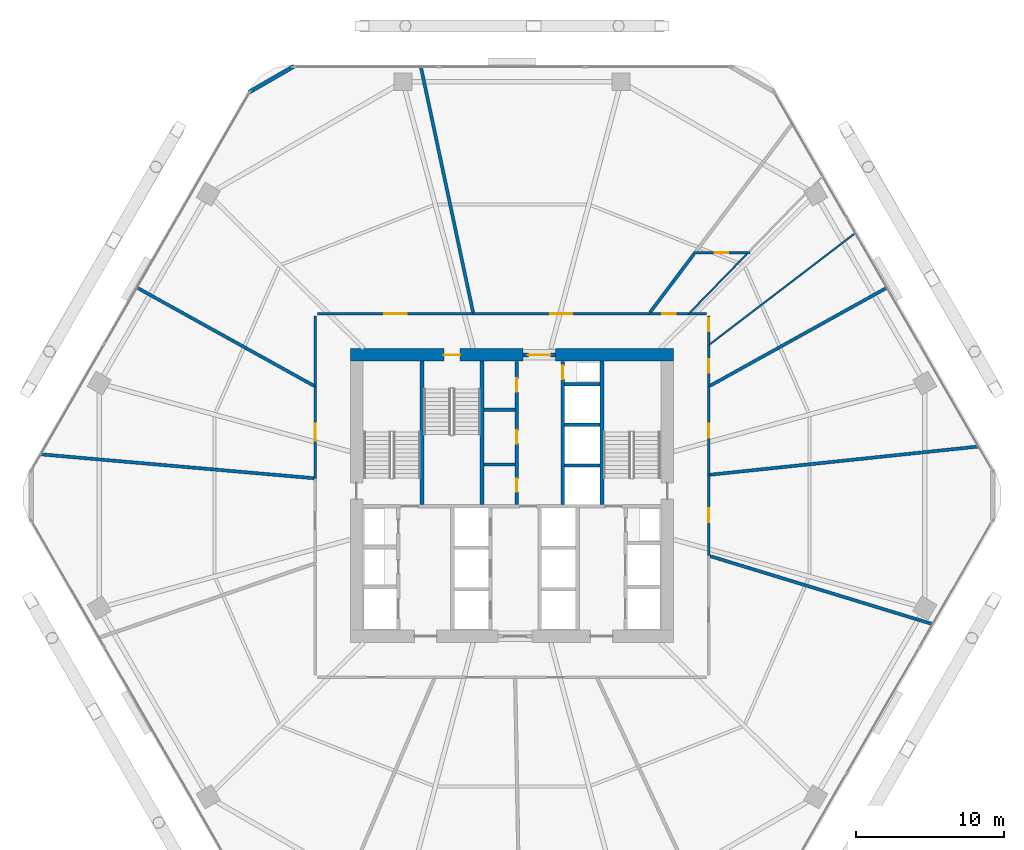
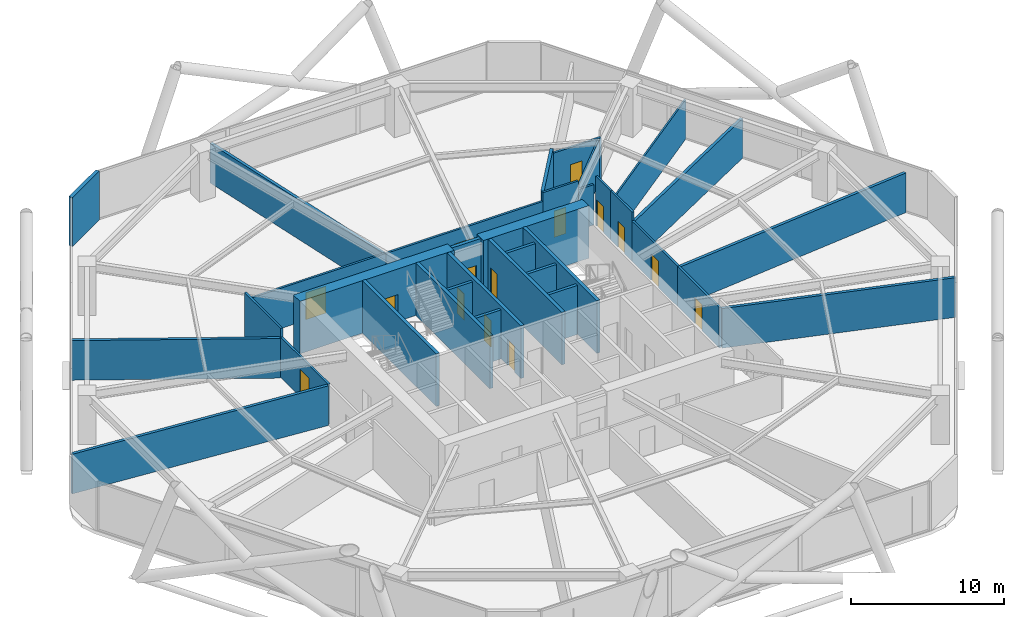
# One storey, part 26 of 30: 34 walls, 15 doors, 15 openings.
"""IFC4 building model written with IfcOpenShell, lengths in metres."""

from ifc_helpers import new_model, si_unit, direction, frame, frame_2d, origin, place, context, subcontext, project, spatial, rectangle, extrude, material, layer, layer_set, type_object, element, fill, save


model = new_model("IFC4")

# Units and contexts
model_context = context("Model", 3, precision=1e-05, world=origin(), true_north=direction((0.0, 1.0)))
body_context = subcontext(model_context, "Body", "Model", "MODEL_VIEW")
ifc_project = project(units=[si_unit("LENGTHUNIT", "METRE"), si_unit("AREAUNIT", "SQUARE_METRE"), si_unit("VOLUMEUNIT", "CUBIC_METRE"), si_unit("PLANEANGLEUNIT", "RADIAN"), si_unit("MASSUNIT", "GRAM", prefix="KILO")], contexts=[model_context])

# Site, building, storey
site_placement = place(None, origin())
site = spatial("IfcSite", under=ifc_project, at=site_placement, CompositionType="ELEMENT")
building_placement = place(site_placement, origin())
building = spatial("IfcBuilding", under=site, at=building_placement, Name="Zuhravey Tower", CompositionType="ELEMENT")
storey_placement = place(building_placement, frame((0.0, 0.0, 58.199951171875)))
storey = spatial("IfcBuildingStorey", under=building, at=storey_placement, Name="L14", CompositionType="ELEMENT", Elevation=58.199951171875)

# Wall
ifc_material_1 = material(Name="Concrete C60/75", Category="concrete")
ifc_layer_1 = layer(ifc_material_1, 0.85009765625)
ifc_layer_set_1 = layer_set([ifc_layer_1], Name="Concrete C60/75")
wall_type_1 = type_object("IfcWallType", Name="Core Shear Wall 850", PredefinedType="SHEAR", material=ifc_layer_set_1)
wall_1_placement = place(storey_placement, frame((46.925048828125, 41.5, 0.0), z_axis=(0.0, 0.0, 1.0), x_axis=(-1.0, 0.0, 0.0)))
element("IfcWall", 1, at=wall_1_placement, inside=storey, type_object=wall_type_1, Name="L14 North-East Core Shear Wall CW85", PredefinedType="SHEAR", context=body_context, shape_type="SweptSolid", body=[
    extrude(rectangle(XDim=7.97509765625, YDim=0.85009765625, at=frame_2d((3.987548828125, 0.0))), origin(), (0.0, 0.0, 1.0), 4.199951171875),
])

# Wall, opening, door
wall_2_placement = place(storey_placement, frame((36.75, 41.5, 0.0), z_axis=(0.0, 0.0, 1.0), x_axis=(-1.0, 0.0, 0.0)))
wall_2 = element("IfcWall", 2, at=wall_2_placement, inside=storey, type_object=wall_type_1, Name="L14 North-West Core Shear Wall CW85", PredefinedType="SHEAR", context=body_context, shape_type="SweptSolid", body=[
    extrude(rectangle(XDim=11.675048828125, YDim=0.85009765625, at=frame_2d((5.83740234375, 0.0))), origin(), (0.0, 0.0, 1.0), 4.199951171875),
])
opening_1_placement = place(wall_2_placement, frame((4.25, 0.0, 0.0)))
opening_1 = element("IfcOpeningElement", 3, at=opening_1_placement, cuts=wall_2, Name="Opening STD1", PredefinedType="OPENING", context=body_context, shape_type="SweptSolid", body=[
    extrude(rectangle(XDim=1.10009765625, YDim=2.14990234375, at=frame_2d((0.550048828125, 1.074951171875))), frame((0.0, 0.43701171875, 0.0), z_axis=(0.0, -1.0, 0.0), x_axis=(1.0, 0.0, 0.0)), (0.0, 0.0, 1.0), 0.8740234375),
])
ifc_material_2 = material(Name="Galvanised fire-rated steel leaf", Category="steel")
door_type_1 = type_object("IfcDoorType", Name="Protected Stair Fire Door 1100x2150", OperationType="NOTDEFINED", PredefinedType="USERDEFINED", material=ifc_material_2)
door_1_placement = place(opening_1_placement, origin())
door_1 = element("IfcDoor", 4, at=door_1_placement, inside=storey, type_object=door_type_1, Name="L14 Stair ST3 Door", ObjectType="EXITDOOR", OperationType="SINGLE_SWING_RIGHT", OverallHeight=2.14990234375, OverallWidth=1.10009765625, PredefinedType="USERDEFINED", context=body_context, shape_type="SweptSolid", body=[
    extrude(rectangle(XDim=1.10009765625, YDim=2.14990234375, at=frame_2d((0.550048828125, 1.074951171875))), frame((0.0, 0.02490234375, 0.0), z_axis=(0.0, -1.0, 0.0), x_axis=(1.0, 0.0, 0.0)), (0.0, 0.0, 1.0), 0.050048828125),
])
fill(opening_1, door_1)

ifc_material_3 = material(Name="Gypsum fire-rated stud partition")
ifc_layer_2 = layer(ifc_material_3, 0.159912109375)
ifc_layer_set_2 = layer_set([ifc_layer_2], Name="Gypsum fire-rated stud partition")
wall_type_2 = type_object("IfcWallType", Name="Corridor Fire Partition 160", PredefinedType="PARTITIONING", material=ifc_layer_set_2)
wall_3_placement = place(storey_placement, frame((49.284912109375, 39.364013671875, 0.0), z_axis=(0.0, 0.0, 1.0), x_axis=(0.0, 1.0, 0.0)))
wall_3 = element("IfcWall", 5, at=wall_3_placement, inside=storey, type_object=wall_type_2, Name="L14 IW16 Partition 019", PredefinedType="PARTITIONING", context=body_context, shape_type="SweptSolid", body=[
    extrude(rectangle(XDim=2.79296875, YDim=0.159912109375, at=frame_2d((1.396484375, 0.0))), origin(), (0.0, 0.0, 1.0), 3.920166015625),
])
opening_2_placement = place(wall_3_placement, frame((0.946533203125, 0.0, 0.0)))
opening_2 = element("IfcOpeningElement", 6, at=opening_2_placement, cuts=wall_3, Name="Opening RSD1", PredefinedType="OPENING", context=body_context, shape_type="SweptSolid", body=[
    extrude(rectangle(XDim=0.89990234375, YDim=2.10009765625, at=frame_2d((0.449951171875, 1.050048828125))), frame((0.0, 0.092041015625, 0.0), z_axis=(0.0, -1.0, 0.0), x_axis=(1.0, 0.0, 0.0)), (0.0, 0.0, 1.0), 0.183837890625),
])
ifc_material_4 = material(Name="Galvanised fire-rated steel access leaf", Category="steel")
door_type_2 = type_object("IfcDoorType", Name="Riser & Shaft Access Fire Door 900x2100", OperationType="NOTDEFINED", PredefinedType="DOOR", material=ifc_material_4)
door_2_placement = place(opening_2_placement, frame((0.89990234375, 0.0, 0.0), z_axis=(0.0, 0.0, 1.0), x_axis=(-1.0, 0.0, 0.0)))
door_2 = element("IfcDoor", 7, at=door_2_placement, inside=storey, type_object=door_type_2, Name="L14 Door 019.1", OperationType="SINGLE_SWING_LEFT", OverallHeight=2.10009765625, OverallWidth=0.89990234375, PredefinedType="DOOR", context=body_context, shape_type="SweptSolid", body=[
    extrude(rectangle(XDim=0.89990234375, YDim=2.10009765625, at=frame_2d((0.449951171875, 1.050048828125))), frame((0.0, 0.02490234375, 0.0), z_axis=(0.0, -1.0, 0.0), x_axis=(1.0, 0.0, 0.0)), (0.0, 0.0, 1.0), 0.050048828125),
])
fill(opening_2, door_2)

wall_4_placement = place(storey_placement, frame((49.284912109375, 42.156982421875, 0.0), z_axis=(0.0, 0.0, 1.0), x_axis=(0.0, 1.0, 0.0)))
wall_4 = element("IfcWall", 8, at=wall_4_placement, inside=storey, type_object=wall_type_2, Name="L14 IW16 Partition 020", PredefinedType="PARTITIONING", context=body_context, shape_type="SweptSolid", body=[
    extrude(rectangle(XDim=1.968017578125, YDim=0.159912109375, at=frame_2d((0.98388671875, 0.0))), origin(), (0.0, 0.0, 1.0), 3.920166015625),
])
opening_3_placement = place(wall_4_placement, frame((0.927978515625, 0.0, 0.0)))
opening_3 = element("IfcOpeningElement", 9, at=opening_3_placement, cuts=wall_4, Name="Opening RSD1", PredefinedType="OPENING", context=body_context, shape_type="SweptSolid", body=[
    extrude(rectangle(XDim=0.89990234375, YDim=2.10009765625, at=frame_2d((0.449951171875, 1.050048828125))), frame((0.0, 0.092041015625, 0.0), z_axis=(0.0, -1.0, 0.0), x_axis=(1.0, 0.0, 0.0)), (0.0, 0.0, 1.0), 0.183837890625),
])
door_3_placement = place(opening_3_placement, frame((0.89990234375, 0.0, 0.0), z_axis=(0.0, 0.0, 1.0), x_axis=(-1.0, 0.0, 0.0)))
door_3 = element("IfcDoor", 10, at=door_3_placement, inside=storey, type_object=door_type_2, Name="L14 Door 020.1", OperationType="SINGLE_SWING_RIGHT", OverallHeight=2.10009765625, OverallWidth=0.89990234375, PredefinedType="DOOR", context=body_context, shape_type="SweptSolid", body=[
    extrude(rectangle(XDim=0.89990234375, YDim=2.10009765625, at=frame_2d((0.449951171875, 1.050048828125))), frame((0.0, 0.02490234375, 0.0), z_axis=(0.0, -1.0, 0.0), x_axis=(1.0, 0.0, 0.0)), (0.0, 0.0, 1.0), 0.050048828125),
])
fill(opening_3, door_3)

wall_5_placement = place(storey_placement, frame((48.261962890625, 48.405029296875, 0.0), z_axis=(0.0, 0.0, 1.0), x_axis=(1.0, 0.0, 0.0)))
wall_5 = element("IfcWall", 11, at=wall_5_placement, inside=storey, type_object=wall_type_2, Name="L14 IW16 Partition 021", PredefinedType="PARTITIONING", context=body_context, shape_type="SweptSolid", body=[
    extrude(rectangle(XDim=3.802734375, YDim=0.159912109375, at=frame_2d((1.9013671875, 0.0))), origin(), (0.0, 0.0, 1.0), 3.469970703125),
])
opening_4_placement = place(wall_5_placement, frame((1.451416015625, 0.0, 0.0)))
opening_4 = element("IfcOpeningElement", 12, at=opening_4_placement, cuts=wall_5, Name="Opening RSD1", PredefinedType="OPENING", context=body_context, shape_type="SweptSolid", body=[
    extrude(rectangle(XDim=0.89990234375, YDim=2.10009765625, at=frame_2d((0.449951171875, 1.050048828125))), frame((0.0, 0.092041015625, 0.0), z_axis=(0.0, -1.0, 0.0), x_axis=(1.0, 0.0, 0.0)), (0.0, 0.0, 1.0), 0.183837890625),
])
door_4_placement = place(opening_4_placement, origin())
door_4 = element("IfcDoor", 13, at=door_4_placement, inside=storey, type_object=door_type_2, Name="L14 Door 021.1", OperationType="SINGLE_SWING_LEFT", OverallHeight=2.10009765625, OverallWidth=0.89990234375, PredefinedType="DOOR", context=body_context, shape_type="SweptSolid", body=[
    extrude(rectangle(XDim=0.89990234375, YDim=2.10009765625, at=frame_2d((0.449951171875, 1.050048828125))), frame((0.0, 0.02490234375, 0.0), z_axis=(0.0, -1.0, 0.0), x_axis=(1.0, 0.0, 0.0)), (0.0, 0.0, 1.0), 0.050048828125),
])
fill(opening_4, door_4)

wall_6_placement = place(storey_placement, frame((47.946533203125, 44.284912109375, 0.0), z_axis=(0.0, 0.0, 1.0), x_axis=(-1.0, 0.0, 0.0)))
wall_6 = element("IfcWall", 14, at=wall_6_placement, inside=storey, type_object=wall_type_2, Name="L14 IW16 Partition 022", PredefinedType="PARTITIONING", context=body_context, shape_type="SweptSolid", body=[
    extrude(rectangle(XDim=2.689208984375, YDim=0.159912109375, at=frame_2d((1.3447265625, 0.0))), origin(), (0.0, 0.0, 1.0), 3.920166015625),
])
opening_5_placement = place(wall_6_placement, frame((0.89453125, 0.0, 0.0)))
opening_5 = element("IfcOpeningElement", 15, at=opening_5_placement, cuts=wall_6, Name="Opening RSD1", PredefinedType="OPENING", context=body_context, shape_type="SweptSolid", body=[
    extrude(rectangle(XDim=0.89990234375, YDim=2.10009765625, at=frame_2d((0.449951171875, 1.050048828125))), frame((0.0, 0.092041015625, 0.0), z_axis=(0.0, -1.0, 0.0), x_axis=(1.0, 0.0, 0.0)), (0.0, 0.0, 1.0), 0.183837890625),
])
door_5_placement = place(opening_5_placement, frame((0.89990234375, 0.0, 0.0), z_axis=(0.0, 0.0, 1.0), x_axis=(-1.0, 0.0, 0.0)))
door_5 = element("IfcDoor", 16, at=door_5_placement, inside=storey, type_object=door_type_2, Name="L14 Door 022.1", OperationType="SINGLE_SWING_RIGHT", OverallHeight=2.10009765625, OverallWidth=0.89990234375, PredefinedType="DOOR", context=body_context, shape_type="SweptSolid", body=[
    extrude(rectangle(XDim=0.89990234375, YDim=2.10009765625, at=frame_2d((0.449951171875, 1.050048828125))), frame((0.0, 0.02490234375, 0.0), z_axis=(0.0, -1.0, 0.0), x_axis=(1.0, 0.0, 0.0)), (0.0, 0.0, 1.0), 0.050048828125),
])
fill(opening_5, door_5)

wall_7_placement = place(storey_placement, frame((45.25732421875, 44.284912109375, 0.0), z_axis=(0.0, 0.0, 1.0), x_axis=(-1.0, 0.0, 0.0)))
wall_7 = element("IfcWall", 17, at=wall_7_placement, inside=storey, type_object=wall_type_2, Name="L14 IW16 Partition 023", PredefinedType="PARTITIONING", context=body_context, shape_type="SweptSolid", body=[
    extrude(rectangle(XDim=11.86865234375, YDim=0.159912109375, at=frame_2d((5.934326171875, 0.0))), origin(), (0.0, 0.0, 1.0), 3.219970703125),
])
opening_6_placement = place(wall_7_placement, frame((5.184326171875, 0.0, 0.0)))
opening_6 = element("IfcOpeningElement", 18, at=opening_6_placement, cuts=wall_7, Name="Opening FFD1", PredefinedType="OPENING", context=body_context, shape_type="SweptSolid", body=[
    extrude(rectangle(XDim=1.5, YDim=2.14990234375, at=frame_2d((0.75, 1.074951171875))), frame((0.0, 0.092041015625, 0.0), z_axis=(0.0, -1.0, 0.0), x_axis=(1.0, 0.0, 0.0)), (0.0, 0.0, 1.0), 0.183837890625),
])
door_type_3 = type_object("IfcDoorType", Name="Firefighting Lobby Double Door 1500x2150", OperationType="DOUBLE_DOOR_SINGLE_SWING", PredefinedType="DOOR", material=ifc_material_2)
door_6_placement = place(opening_6_placement, frame((1.5, 0.0, 0.0), z_axis=(0.0, 0.0, 1.0), x_axis=(-1.0, 0.0, 0.0)))
door_6 = element("IfcDoor", 19, at=door_6_placement, inside=storey, type_object=door_type_3, Name="L14 Door 023.1", OperationType="DOUBLE_DOOR_SINGLE_SWING", OverallHeight=2.14990234375, OverallWidth=1.5, PredefinedType="DOOR", context=body_context, shape_type="SweptSolid", body=[
    extrude(rectangle(XDim=1.5, YDim=2.14990234375, at=frame_2d((0.75, 1.074951171875))), frame((0.0, 0.02490234375, 0.0), z_axis=(0.0, -1.0, 0.0), x_axis=(1.0, 0.0, 0.0)), (0.0, 0.0, 1.0), 0.050048828125),
])
fill(opening_6, door_6)

wall_8_placement = place(storey_placement, frame((33.388671875, 44.284912109375, 0.0), z_axis=(0.0, 0.0, 1.0), x_axis=(-1.0, 0.0, 0.0)))
wall_8 = element("IfcWall", 20, at=wall_8_placement, inside=storey, type_object=wall_type_2, Name="L14 IW16 Partition 024", PredefinedType="PARTITIONING", context=body_context, shape_type="SweptSolid", body=[
    extrude(rectangle(XDim=10.513671875, YDim=0.159912109375, at=frame_2d((5.2568359375, 0.0))), origin(), (0.0, 0.0, 1.0), 3.219970703125),
])
opening_7_placement = place(wall_8_placement, frame((4.5068359375, 0.0, 0.0)))
opening_7 = element("IfcOpeningElement", 21, at=opening_7_placement, cuts=wall_8, Name="Opening FFD1", PredefinedType="OPENING", context=body_context, shape_type="SweptSolid", body=[
    extrude(rectangle(XDim=1.5, YDim=2.14990234375, at=frame_2d((0.75, 1.074951171875))), frame((0.0, 0.092041015625, 0.0), z_axis=(0.0, -1.0, 0.0), x_axis=(1.0, 0.0, 0.0)), (0.0, 0.0, 1.0), 0.183837890625),
])
door_7_placement = place(opening_7_placement, frame((1.5, 0.0, 0.0), z_axis=(0.0, 0.0, 1.0), x_axis=(-1.0, 0.0, 0.0)))
door_7 = element("IfcDoor", 22, at=door_7_placement, inside=storey, type_object=door_type_3, Name="L14 Door 024.1", OperationType="DOUBLE_DOOR_SINGLE_SWING", OverallHeight=2.14990234375, OverallWidth=1.5, PredefinedType="DOOR", context=body_context, shape_type="SweptSolid", body=[
    extrude(rectangle(XDim=1.5, YDim=2.14990234375, at=frame_2d((0.75, 1.074951171875))), frame((0.0, 0.02490234375, 0.0), z_axis=(0.0, -1.0, 0.0), x_axis=(1.0, 0.0, 0.0)), (0.0, 0.0, 1.0), 0.050048828125),
])
fill(opening_7, door_7)

wall_9_placement = place(storey_placement, frame((22.715087890625, 39.364013671875, 0.0), z_axis=(0.0, 0.0, 1.0), x_axis=(0.0, -1.0, 0.0)))
wall_9 = element("IfcWall", 23, at=wall_9_placement, inside=storey, type_object=wall_type_2, Name="L14 IW16 Partition 025", PredefinedType="PARTITIONING", context=body_context, shape_type="SweptSolid", body=[
    extrude(rectangle(XDim=6.20166015625, YDim=0.159912109375, at=frame_2d((3.100830078125, 0.0))), origin(), (0.0, 0.0, 1.0), 3.219970703125),
])
opening_8_placement = place(wall_9_placement, frame((2.52587890625, 0.0, 0.0)))
opening_8 = element("IfcOpeningElement", 24, at=opening_8_placement, cuts=wall_9, Name="Opening CLD1", PredefinedType="OPENING", context=body_context, shape_type="SweptSolid", body=[
    extrude(rectangle(XDim=1.14990234375, YDim=2.199951171875, at=frame_2d((0.574951171875, 1.10009765625))), frame((0.0, 0.092041015625, 0.0), z_axis=(0.0, -1.0, 0.0), x_axis=(1.0, 0.0, 0.0)), (0.0, 0.0, 1.0), 0.183837890625),
])
ifc_material_5 = material(Name="Acoustic timber leaf with vision lite", Category="wood")
door_type_4 = type_object("IfcDoorType", Name="Classroom Acoustic Door 1150x2200", OperationType="NOTDEFINED", PredefinedType="DOOR", material=ifc_material_5)
door_8_placement = place(opening_8_placement, frame((1.14990234375, 0.0, 0.0), z_axis=(0.0, 0.0, 1.0), x_axis=(-1.0, 0.0, 0.0)))
door_8 = element("IfcDoor", 25, at=door_8_placement, inside=storey, type_object=door_type_4, Name="L14 Door 025.1", OperationType="SINGLE_SWING_LEFT", OverallHeight=2.199951171875, OverallWidth=1.14990234375, PredefinedType="DOOR", context=body_context, shape_type="SweptSolid", body=[
    extrude(rectangle(XDim=1.14990234375, YDim=2.199951171875, at=frame_2d((0.574951171875, 1.10009765625))), frame((0.0, 0.02490234375, 0.0), z_axis=(0.0, -1.0, 0.0), x_axis=(1.0, 0.0, 0.0)), (0.0, 0.0, 1.0), 0.050048828125),
])
fill(opening_8, door_8)

wall_10_placement = place(storey_placement, frame((49.284912109375, 27.9384765625, 0.0), z_axis=(0.0, 0.0, 1.0), x_axis=(0.0, 1.0, 0.0)))
wall_10 = element("IfcWall", 26, at=wall_10_placement, inside=storey, type_object=wall_type_2, Name="L14 IW16 Partition 031", PredefinedType="PARTITIONING", context=body_context, shape_type="SweptSolid", body=[
    extrude(rectangle(XDim=5.457763671875, YDim=0.159912109375, at=frame_2d((2.72900390625, 0.0))), origin(), (0.0, 0.0, 1.0), 3.219970703125),
])
opening_9_placement = place(wall_10_placement, frame((2.25390625, 0.0, 0.0)))
opening_9 = element("IfcOpeningElement", 27, at=opening_9_placement, cuts=wall_10, Name="Opening IND1", PredefinedType="OPENING", context=body_context, shape_type="SweptSolid", body=[
    extrude(rectangle(XDim=0.949951171875, YDim=2.10009765625, at=frame_2d((0.47509765625, 1.050048828125))), frame((0.0, 0.092041015625, 0.0), z_axis=(0.0, -1.0, 0.0), x_axis=(1.0, 0.0, 0.0)), (0.0, 0.0, 1.0), 0.183837890625),
])
ifc_material_6 = material(Name="Painted engineered timber leaf", Category="wood")
door_type_5 = type_object("IfcDoorType", Name="Internal Room & Bedroom Door 950x2100", OperationType="NOTDEFINED", PredefinedType="DOOR", material=ifc_material_6)
door_9_placement = place(opening_9_placement, frame((0.949951171875, 0.0, 0.0), z_axis=(0.0, 0.0, 1.0), x_axis=(-1.0, 0.0, 0.0)))
door_9 = element("IfcDoor", 28, at=door_9_placement, inside=storey, type_object=door_type_5, Name="L14 Door 031.1", OperationType="SINGLE_SWING_LEFT", OverallHeight=2.10009765625, OverallWidth=0.949951171875, PredefinedType="DOOR", context=body_context, shape_type="SweptSolid", body=[
    extrude(rectangle(XDim=0.949951171875, YDim=2.10009765625, at=frame_2d((0.47509765625, 1.050048828125))), frame((0.0, 0.02490234375, 0.0), z_axis=(0.0, -1.0, 0.0), x_axis=(1.0, 0.0, 0.0)), (0.0, 0.0, 1.0), 0.050048828125),
])
fill(opening_9, door_9)

wall_11_placement = place(storey_placement, frame((49.284912109375, 33.396240234375, 0.0), z_axis=(0.0, 0.0, 1.0), x_axis=(0.0, 1.0, 0.0)))
wall_11 = element("IfcWall", 29, at=wall_11_placement, inside=storey, type_object=wall_type_2, Name="L14 IW16 Partition 032", PredefinedType="PARTITIONING", context=body_context, shape_type="SweptSolid", body=[
    extrude(rectangle(XDim=5.9677734375, YDim=0.159912109375, at=frame_2d((2.98388671875, 0.0))), origin(), (0.0, 0.0, 1.0), 3.219970703125),
])
opening_10_placement = place(wall_11_placement, frame((2.5087890625, 0.0, 0.0)))
opening_10 = element("IfcOpeningElement", 30, at=opening_10_placement, cuts=wall_11, Name="Opening IND1", PredefinedType="OPENING", context=body_context, shape_type="SweptSolid", body=[
    extrude(rectangle(XDim=0.949951171875, YDim=2.10009765625, at=frame_2d((0.47509765625, 1.050048828125))), frame((0.0, 0.092041015625, 0.0), z_axis=(0.0, -1.0, 0.0), x_axis=(1.0, 0.0, 0.0)), (0.0, 0.0, 1.0), 0.183837890625),
])
door_10_placement = place(opening_10_placement, frame((0.949951171875, 0.0, 0.0), z_axis=(0.0, 0.0, 1.0), x_axis=(-1.0, 0.0, 0.0)))
door_10 = element("IfcDoor", 31, at=door_10_placement, inside=storey, type_object=door_type_5, Name="L14 Door 032.1", OperationType="SINGLE_SWING_RIGHT", OverallHeight=2.10009765625, OverallWidth=0.949951171875, PredefinedType="DOOR", context=body_context, shape_type="SweptSolid", body=[
    extrude(rectangle(XDim=0.949951171875, YDim=2.10009765625, at=frame_2d((0.47509765625, 1.050048828125))), frame((0.0, 0.02490234375, 0.0), z_axis=(0.0, -1.0, 0.0), x_axis=(1.0, 0.0, 0.0)), (0.0, 0.0, 1.0), 0.050048828125),
])
fill(opening_10, door_10)

# Walls
wall_12_placement = place(storey_placement, frame((49.125, 44.284912109375, 0.0), z_axis=(0.0, 0.0, 1.0), x_axis=(-1.0, 0.0, 0.0)))
element("IfcWall", 32, at=wall_12_placement, inside=storey, type_object=wall_type_2, Name="L14 IW16 Partition 044", PredefinedType="PARTITIONING", context=body_context, shape_type="SweptSolid", body=[
    extrude(rectangle(XDim=1.178466796875, YDim=0.159912109375, at=frame_2d((0.58935546875, 0.0))), origin(), (0.0, 0.0, 1.0), 3.219970703125),
])
wall_13_placement = place(storey_placement, frame((22.715087890625, 44.125, 0.0), z_axis=(0.0, 0.0, 1.0), x_axis=(0.0, -1.0, 0.0)))
element("IfcWall", 33, at=wall_13_placement, inside=storey, type_object=wall_type_2, Name="L14 IW16 Partition 051", PredefinedType="PARTITIONING", context=body_context, shape_type="SweptSolid", body=[
    extrude(rectangle(XDim=4.760986328125, YDim=0.159912109375, at=frame_2d((2.38037109375, 0.0))), origin(), (0.0, 0.0, 1.0), 3.920166015625),
])
ifc_material_7 = material(Name="Precast concrete C40/50", Category="concrete")
ifc_layer_3 = layer(ifc_material_7, 0.280029296875)
ifc_layer_set_3 = layer_set([ifc_layer_3], Name="Precast concrete C40/50")
wall_type_3 = type_object("IfcWallType", Name="Crown Architectural Wall 280", PredefinedType="SOLIDWALL", material=ifc_layer_set_3)
wall_14_placement = place(storey_placement, frame((18.23876953125, 59.24853515625, 0.0), z_axis=(0.0, 0.0, 1.0), x_axis=(0.866007452331, 0.500031091541, 0.0)))
element("IfcWall", 34, at=wall_14_placement, inside=storey, type_object=wall_type_3, Name="L14 Rounded Corner Closure Wall EW28-08", PredefinedType="SOLIDWALL", context=body_context, shape_type="SweptSolid", body=[
    extrude(rectangle(XDim=3.514892578125, YDim=0.280029296875, at=frame_2d((1.75732421875, 0.0))), origin(), (0.0, 0.0, 1.0), 3.920166015625),
])

# Wall, opening, door
ifc_material_8 = material(Name="Concrete C50/60", Category="concrete")
ifc_layer_4 = layer(ifc_material_8, 0.25)
ifc_layer_set_4 = layer_set([ifc_layer_4], Name="Concrete C50/60")
wall_type_4 = type_object("IfcWallType", Name="Firefighting Shaft & Stair Wall 250", PredefinedType="SOLIDWALL", material=ifc_layer_set_4)
wall_15_placement = place(storey_placement, frame((36.760009765625, 41.5, 0.0), z_axis=(0.0, 0.0, 1.0), x_axis=(1.0, 0.0, 0.0)))
wall_15 = element("IfcWall", 35, at=wall_15_placement, inside=storey, type_object=wall_type_4, Name="L14 FW25 Shaft Wall 002", PredefinedType="SOLIDWALL", context=body_context, shape_type="SweptSolid", body=[
    extrude(rectangle(XDim=2.179931640625, YDim=0.25, at=frame_2d((1.08984375, 0.0))), origin(), (0.0, 0.0, 1.0), 4.199951171875),
])
opening_11_placement = place(wall_15_placement, frame((0.340087890625, 0.0, 0.0)))
opening_11 = element("IfcOpeningElement", 36, at=opening_11_placement, cuts=wall_15, Name="Opening FFD1", PredefinedType="OPENING", context=body_context, shape_type="SweptSolid", body=[
    extrude(rectangle(XDim=1.5, YDim=2.14990234375, at=frame_2d((0.75, 1.074951171875))), frame((0.0, 0.136962890625, 0.0), z_axis=(0.0, -1.0, 0.0), x_axis=(1.0, 0.0, 0.0)), (0.0, 0.0, 1.0), 0.27392578125),
])
door_11_placement = place(opening_11_placement, origin())
door_11 = element("IfcDoor", 37, at=door_11_placement, inside=storey, type_object=door_type_3, Name="L14 North Lift Lobby Exit Door", OperationType="DOUBLE_DOOR_SINGLE_SWING", OverallHeight=2.14990234375, OverallWidth=1.5, PredefinedType="DOOR", context=body_context, shape_type="SweptSolid", body=[
    extrude(rectangle(XDim=1.5, YDim=2.14990234375, at=frame_2d((0.75, 1.074951171875))), frame((0.0, 0.02490234375, 0.0), z_axis=(0.0, -1.0, 0.0), x_axis=(1.0, 0.0, 0.0)), (0.0, 0.0, 1.0), 0.050048828125),
])
fill(opening_11, door_11)

# Walls
for number, where, z_axis, x_axis, name in (
    (38, (29.925048828125, 31.39990234375, 0.0), (0.0, 0.0, 1.0), (0.0, 1.0, 0.0), "L14 FW25 Shaft Wall 004"),
    (39, (33.97509765625, 31.39990234375, 0.0), (0.0, 0.0, 1.0), (0.0, 1.0, 0.0), "L14 FW25 Shaft Wall 005"),
    (40, (42.074951171875, 31.39990234375, 0.0), (0.0, 0.0, 1.0), (0.0, 1.0, 0.0), "L14 FW25 Shaft Wall 006"),
):
    element("IfcWall", number, at=place(storey_placement, frame(where, z_axis=z_axis, x_axis=x_axis)), inside=storey, type_object=wall_type_4, Name=name, PredefinedType="SOLIDWALL", context=body_context, shape_type="SweptSolid", body=[
        extrude(rectangle(XDim=9.7001953125, YDim=0.25, at=frame_2d((4.85009765625, 0.0))), origin(), (0.0, 0.0, 1.0), 4.199951171875),
    ])

# Wall, openings, doors
wall_16_placement = place(storey_placement, frame((36.324951171875, 31.39990234375, 0.0), z_axis=(0.0, 0.0, 1.0), x_axis=(0.0, 1.0, 0.0)))
wall_16 = element("IfcWall", 41, at=wall_16_placement, inside=storey, type_object=wall_type_4, Name="L14 FW25 Shaft Wall 007", PredefinedType="SOLIDWALL", context=body_context, shape_type="SweptSolid", body=[
    extrude(rectangle(XDim=9.650146484375, YDim=0.25, at=frame_2d((4.8251953125, 0.0))), origin(), (0.0, 0.0, 1.0), 4.199951171875),
])
opening_12_placement = place(wall_16_placement, frame((0.840087890625, 0.0, 0.0)))
opening_12 = element("IfcOpeningElement", 42, at=opening_12_placement, cuts=wall_16, Name="Opening RSD1", PredefinedType="OPENING", context=body_context, shape_type="SweptSolid", body=[
    extrude(rectangle(XDim=0.89990234375, YDim=2.10009765625, at=frame_2d((0.449951171875, 1.050048828125))), frame((0.0, 0.136962890625, 0.0), z_axis=(0.0, -1.0, 0.0), x_axis=(1.0, 0.0, 0.0)), (0.0, 0.0, 1.0), 0.27392578125),
])
opening_13_placement = place(wall_16_placement, frame((4.10009765625, 0.0, 0.0)))
opening_13 = element("IfcOpeningElement", 43, at=opening_13_placement, cuts=wall_16, Name="Opening RSD1", PredefinedType="OPENING", context=body_context, shape_type="SweptSolid", body=[
    extrude(rectangle(XDim=0.89990234375, YDim=2.10009765625, at=frame_2d((0.449951171875, 1.050048828125))), frame((0.0, 0.136962890625, 0.0), z_axis=(0.0, -1.0, 0.0), x_axis=(1.0, 0.0, 0.0)), (0.0, 0.0, 1.0), 0.27392578125),
])
opening_14_placement = place(wall_16_placement, frame((7.610107421875, 0.0, 0.0)))
opening_14 = element("IfcOpeningElement", 44, at=opening_14_placement, cuts=wall_16, Name="Opening RSD1", PredefinedType="OPENING", context=body_context, shape_type="SweptSolid", body=[
    extrude(rectangle(XDim=0.89990234375, YDim=2.10009765625, at=frame_2d((0.449951171875, 1.050048828125))), frame((0.0, 0.136962890625, 0.0), z_axis=(0.0, -1.0, 0.0), x_axis=(1.0, 0.0, 0.0)), (0.0, 0.0, 1.0), 0.27392578125),
])
door_12_placement = place(opening_12_placement, origin())
door_12 = element("IfcDoor", 45, at=door_12_placement, inside=storey, type_object=door_type_2, Name="L14 Core Staff WC Door", OperationType="SINGLE_SWING_RIGHT", OverallHeight=2.10009765625, OverallWidth=0.89990234375, PredefinedType="DOOR", context=body_context, shape_type="SweptSolid", body=[
    extrude(rectangle(XDim=0.89990234375, YDim=2.10009765625, at=frame_2d((0.449951171875, 1.050048828125))), frame((0.0, 0.02490234375, 0.0), z_axis=(0.0, -1.0, 0.0), x_axis=(1.0, 0.0, 0.0)), (0.0, 0.0, 1.0), 0.050048828125),
])
fill(opening_12, door_12)
door_13_placement = place(opening_13_placement, origin())
door_13 = element("IfcDoor", 46, at=door_13_placement, inside=storey, type_object=door_type_2, Name="L14 IT and Comms Room Door", OperationType="SINGLE_SWING_LEFT", OverallHeight=2.10009765625, OverallWidth=0.89990234375, PredefinedType="DOOR", context=body_context, shape_type="SweptSolid", body=[
    extrude(rectangle(XDim=0.89990234375, YDim=2.10009765625, at=frame_2d((0.449951171875, 1.050048828125))), frame((0.0, 0.02490234375, 0.0), z_axis=(0.0, -1.0, 0.0), x_axis=(1.0, 0.0, 0.0)), (0.0, 0.0, 1.0), 0.050048828125),
])
fill(opening_13, door_13)
door_14_placement = place(opening_14_placement, origin())
door_14 = element("IfcDoor", 47, at=door_14_placement, inside=storey, type_object=door_type_2, Name="L14 Janitor Linen Store Door", OperationType="SINGLE_SWING_RIGHT", OverallHeight=2.10009765625, OverallWidth=0.89990234375, PredefinedType="DOOR", context=body_context, shape_type="SweptSolid", body=[
    extrude(rectangle(XDim=0.89990234375, YDim=2.10009765625, at=frame_2d((0.449951171875, 1.050048828125))), frame((0.0, 0.02490234375, 0.0), z_axis=(0.0, -1.0, 0.0), x_axis=(1.0, 0.0, 0.0)), (0.0, 0.0, 1.0), 0.050048828125),
])
fill(opening_14, door_14)

# Wall, opening, door
wall_17_placement = place(storey_placement, frame((39.425048828125, 31.39990234375, 0.0), z_axis=(0.0, 0.0, 1.0), x_axis=(0.0, 1.0, 0.0)))
wall_17 = element("IfcWall", 48, at=wall_17_placement, inside=storey, type_object=wall_type_4, Name="L14 FW25 Shaft Wall 008", PredefinedType="SOLIDWALL", context=body_context, shape_type="SweptSolid", body=[
    extrude(rectangle(XDim=9.650146484375, YDim=0.25, at=frame_2d((4.8251953125, 0.0))), origin(), (0.0, 0.0, 1.0), 4.199951171875),
])
opening_15_placement = place(wall_17_placement, frame((8.469970703125, 0.0, 0.0)))
opening_15 = element("IfcOpeningElement", 49, at=opening_15_placement, cuts=wall_17, Name="Opening RSD1", PredefinedType="OPENING", context=body_context, shape_type="SweptSolid", body=[
    extrude(rectangle(XDim=0.89990234375, YDim=2.10009765625, at=frame_2d((0.449951171875, 1.050048828125))), frame((0.0, 0.136962890625, 0.0), z_axis=(0.0, -1.0, 0.0), x_axis=(1.0, 0.0, 0.0)), (0.0, 0.0, 1.0), 0.27392578125),
])
door_15_placement = place(opening_15_placement, origin())
door_15 = element("IfcDoor", 50, at=door_15_placement, inside=storey, type_object=door_type_2, Name="L14 North Riser Door", OperationType="SINGLE_SWING_LEFT", OverallHeight=2.10009765625, OverallWidth=0.89990234375, PredefinedType="DOOR", context=body_context, shape_type="SweptSolid", body=[
    extrude(rectangle(XDim=0.89990234375, YDim=2.10009765625, at=frame_2d((0.449951171875, 1.050048828125))), frame((0.0, 0.02490234375, 0.0), z_axis=(0.0, -1.0, 0.0), x_axis=(1.0, 0.0, 0.0)), (0.0, 0.0, 1.0), 0.050048828125),
])
fill(opening_15, door_15)

# Walls
ifc_material_9 = material(Name="Gypsum acoustic stud assembly")
ifc_layer_5 = layer(ifc_material_9, 0.219970703125)
ifc_layer_set_5 = layer_set([ifc_layer_5], Name="Gypsum acoustic stud assembly")
wall_type_5 = type_object("IfcWallType", Name="School Acoustic Compartment Wall 220", PredefinedType="PARTITIONING", material=ifc_layer_set_5)
for number, where, z_axis, x_axis, name in (
    (51, (34.10791015625, 34.10009765625, 0.0), (0.0, 0.0, 1.0), (1.0, 0.0, 0.0), "L14 IW22 Partition 033"),
    (52, (34.10791015625, 37.800048828125, 0.0), (0.0, 0.0, 1.0), (1.0, 0.0, 0.0), "L14 IW22 Partition 034"),
):
    element("IfcWall", number, at=place(storey_placement, frame(where, z_axis=z_axis, x_axis=x_axis)), inside=storey, type_object=wall_type_5, Name=name, PredefinedType="PARTITIONING", context=body_context, shape_type="SweptSolid", body=[
        extrude(rectangle(XDim=2.083984375, YDim=0.219970703125, at=frame_2d((1.0419921875, 0.0))), origin(), (0.0, 0.0, 1.0), 3.920166015625),
    ])
for number, where, z_axis, x_axis, name in (
    (53, (39.55810546875, 34.02490234375, 0.0), (0.0, 0.0, 1.0), (1.0, 0.0, 0.0), "L14 IW22 Partition 035"),
    (54, (39.55810546875, 36.77490234375, 0.0), (0.0, 0.0, 1.0), (1.0, 0.0, 0.0), "L14 IW22 Partition 036"),
    (55, (39.55810546875, 39.52490234375, 0.0), (0.0, 0.0, 1.0), (1.0, 0.0, 0.0), "L14 IW22 Partition 037"),
):
    element("IfcWall", number, at=place(storey_placement, frame(where, z_axis=z_axis, x_axis=x_axis)), inside=storey, type_object=wall_type_5, Name=name, PredefinedType="PARTITIONING", context=body_context, shape_type="SweptSolid", body=[
        extrude(rectangle(XDim=2.3837890625, YDim=0.219970703125, at=frame_2d((1.19189453125, 0.0))), origin(), (0.0, 0.0, 1.0), 3.920166015625),
    ])
wall_18_placement = place(storey_placement, frame((49.373046875, 39.412841796875, 0.0), z_axis=(0.0, 0.0, 1.0), x_axis=(0.874620963666, 0.484807353405, 0.0)))
element("IfcWall", 56, at=wall_18_placement, inside=storey, type_object=wall_type_5, Name="L14 IW22 Partition 042", PredefinedType="PARTITIONING", context=body_context, shape_type="SweptSolid", body=[
    extrude(rectangle(XDim=13.6728515625, YDim=0.219970703125, at=frame_2d((6.83642578125, 0.0))), origin(), (0.0, 0.0, 1.0), 3.170166015625),
])
wall_19_placement = place(storey_placement, frame((45.32373046875, 44.373046875, 0.0), z_axis=(0.0, 0.0, 1.0), x_axis=(0.601817794095, 0.798633421984, 0.0)))
element("IfcWall", 57, at=wall_19_placement, inside=storey, type_object=wall_type_5, Name="L14 IW22 Partition 048", PredefinedType="PARTITIONING", context=body_context, shape_type="SweptSolid", body=[
    extrude(rectangle(XDim=4.938232421875, YDim=0.219970703125, at=frame_2d((2.46923828125, 0.0))), origin(), (0.0, 0.0, 1.0), 3.920166015625),
])
wall_20_placement = place(storey_placement, frame((33.3701171875, 44.373046875, 0.0), z_axis=(0.0, 0.0, 1.0), x_axis=(-0.207914205497, 0.978147066219, 0.0)))
element("IfcWall", 58, at=wall_20_placement, inside=storey, type_object=wall_type_5, Name="L14 IW22 Partition 050", PredefinedType="PARTITIONING", context=body_context, shape_type="SweptSolid", body=[
    extrude(rectangle(XDim=16.9560546875, YDim=0.219970703125, at=frame_2d((8.47802734375, 0.0))), origin(), (0.0, 0.0, 1.0), 3.170166015625),
])
wall_21_placement = place(storey_placement, frame((22.626953125, 39.412841796875, 0.0), z_axis=(0.0, 0.0, 1.0), x_axis=(-0.874620963666, 0.484807353405, 0.0)))
element("IfcWall", 59, at=wall_21_placement, inside=storey, type_object=wall_type_5, Name="L14 IW22 Partition 052", PredefinedType="PARTITIONING", context=body_context, shape_type="SweptSolid", body=[
    extrude(rectangle(XDim=13.6728515625, YDim=0.219970703125, at=frame_2d((6.83642578125, 0.0))), origin(), (0.0, 0.0, 1.0), 3.170166015625),
])
wall_22_placement = place(storey_placement, frame((22.626953125, 33.169921875, 0.0), z_axis=(0.0, 0.0, 1.0), x_axis=(-0.99619391773, 0.087164661858, 0.0)))
element("IfcWall", 60, at=wall_22_placement, inside=storey, type_object=wall_type_5, Name="L14 IW22 Partition 053", PredefinedType="PARTITIONING", context=body_context, shape_type="SweptSolid", body=[
    extrude(rectangle(XDim=18.528076171875, YDim=0.219970703125, at=frame_2d((9.26416015625, 0.0))), origin(), (0.0, 0.0, 1.0), 3.170166015625),
])
wall_23_placement = place(storey_placement, frame((49.373046875, 27.91162109375, 0.0), z_axis=(0.0, 0.0, 1.0), x_axis=(0.956304467386, -0.292372648614, 0.0)))
element("IfcWall", 61, at=wall_23_placement, inside=storey, type_object=wall_type_5, Name="L14 IW22 Partition 060", PredefinedType="PARTITIONING", context=body_context, shape_type="SweptSolid", body=[
    extrude(rectangle(XDim=15.736083984375, YDim=0.219970703125, at=frame_2d((7.8681640625, 0.0))), origin(), (0.0, 0.0, 1.0), 3.170166015625),
])
wall_24_placement = place(storey_placement, frame((49.373046875, 33.405517578125, 0.0), z_axis=(0.0, 0.0, 1.0), x_axis=(0.994521492256, 0.104532298553, 0.0)))
element("IfcWall", 62, at=wall_24_placement, inside=storey, type_object=wall_type_5, Name="L14 IW22 Partition 061", PredefinedType="PARTITIONING", context=body_context, shape_type="SweptSolid", body=[
    extrude(rectangle(XDim=18.25244140625, YDim=0.219970703125, at=frame_2d((9.126220703125, 0.0))), origin(), (0.0, 0.0, 1.0), 3.170166015625),
])
ifc_material_10 = material(Name="Gypsum metal-stud partition")
ifc_layer_6 = layer(ifc_material_10, 0.1201171875)
ifc_layer_set_6 = layer_set([ifc_layer_6], Name="Gypsum metal-stud partition")
wall_type_6 = type_object("IfcWallType", Name="Unit Internal Partition 120", PredefinedType="PARTITIONING", material=ifc_layer_set_6)
wall_25_placement = place(storey_placement, frame((49.373046875, 42.224609375, 0.0), z_axis=(0.0, 0.0, 1.0), x_axis=(0.794422824401, 0.607365109362, 0.0)))
element("IfcWall", 63, at=wall_25_placement, inside=storey, type_object=wall_type_6, Name="L14 IW12 Partition 043", PredefinedType="PARTITIONING", context=body_context, shape_type="SweptSolid", body=[
    extrude(rectangle(XDim=12.36767578125, YDim=0.1201171875, at=frame_2d((6.183837890625, 0.0))), origin(), (0.0, 0.0, 1.0), 3.170166015625),
])
wall_26_placement = place(storey_placement, frame((48.0322265625, 44.373046875, 0.0), z_axis=(0.0, 0.0, 1.0), x_axis=(0.697186119011, 0.716890169732, 0.0)))
element("IfcWall", 64, at=wall_26_placement, inside=storey, type_object=wall_type_6, Name="L14 IW12 Partition 045", PredefinedType="PARTITIONING", context=body_context, shape_type="SweptSolid", body=[
    extrude(rectangle(XDim=5.501220703125, YDim=0.1201171875, at=frame_2d((2.75048828125, 0.0))), origin(), (0.0, 0.0, 1.0), 3.469970703125),
])

save(model, "model.ifc")
